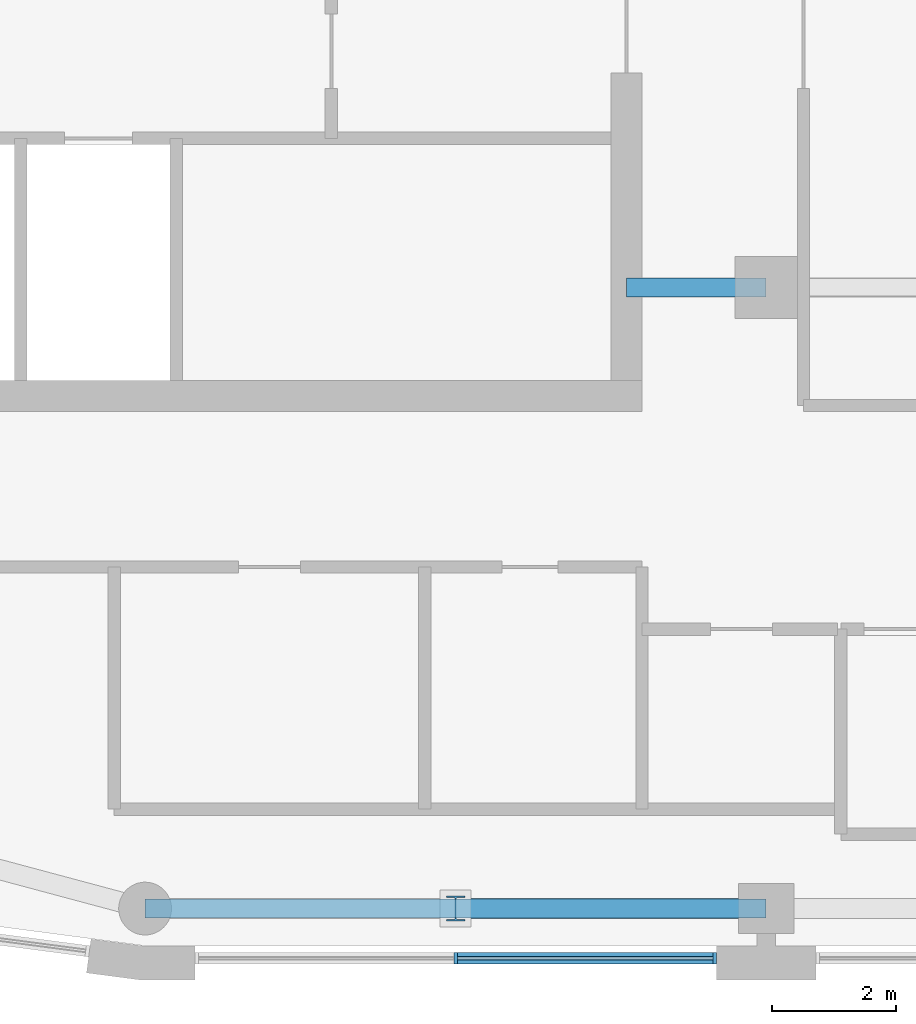
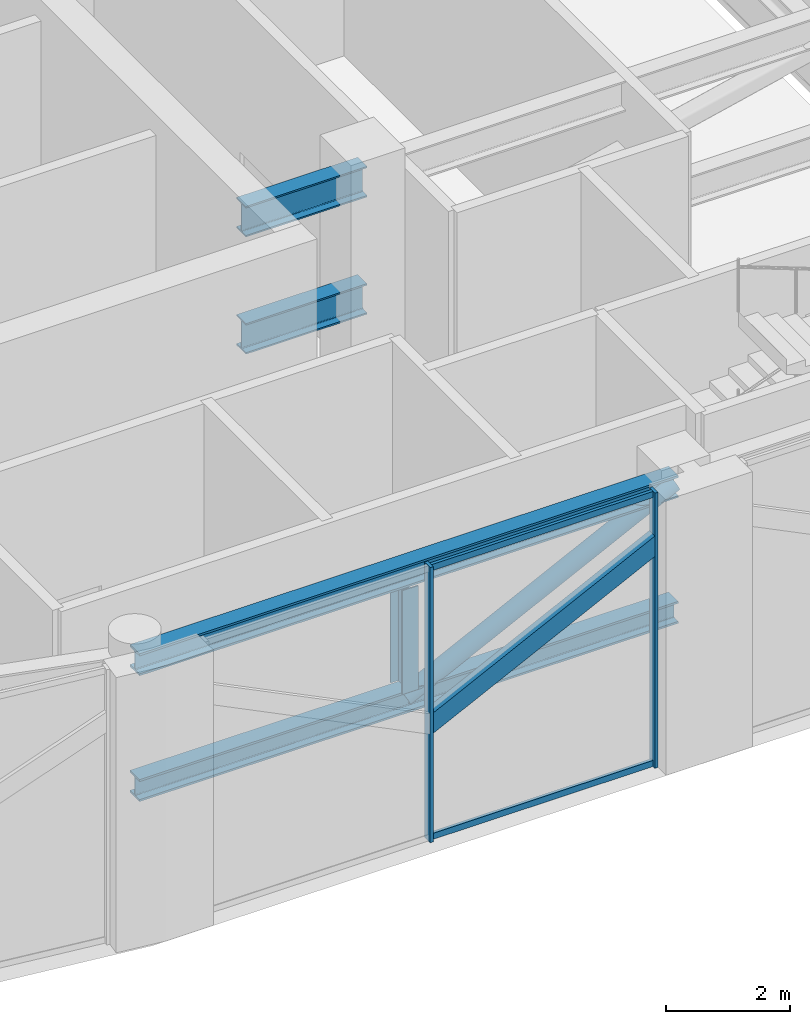
# One storey, part 3 of 18: 11 members, 1 element without a shape of its own.
"""IFC4 building model written with IfcOpenShell, lengths in metres."""

from ifc_helpers import new_model, si_unit, direction, frame, origin, origin_2d, place, context, subcontext, project, spatial, polyline, rectangle, hollow_circle, i_section, outline, extrude, material, layer, layer_set, material_profile, profile_set, type_object, element, aggregate, save


model = new_model("IFC4")

# Units and contexts
model_context = context("Model", 3, precision=1e-05, world=origin(), true_north=direction((0.0, 1.0)))
body_context = subcontext(model_context, "Body", "Model", "MODEL_VIEW")
ifc_project = project(units=[si_unit("LENGTHUNIT", "METRE"), si_unit("AREAUNIT", "SQUARE_METRE"), si_unit("VOLUMEUNIT", "CUBIC_METRE"), si_unit("PLANEANGLEUNIT", "RADIAN"), si_unit("MASSUNIT", "GRAM", prefix="KILO")], contexts=[model_context])

# Site, building, storey
site_placement = place(None, origin())
site = spatial("IfcSite", under=ifc_project, at=site_placement, CompositionType="ELEMENT")
building_placement = place(site_placement, origin())
building = spatial("IfcBuilding", under=site, at=building_placement, Name="Qaws Garden Tower", CompositionType="ELEMENT")
storey_placement = place(building_placement, frame((0.0, 0.0, 352.800048828125)))
storey = spatial("IfcBuildingStorey", under=building, at=storey_placement, Name="L86", CompositionType="ELEMENT", Elevation=352.800048828125)

# Members
ifc_material_1 = material(Name="Steel S355", Category="steel")
ifc_material_profile_1 = material_profile(ifc_material_1, i_section(OverallWidth=0.306884765625, OverallDepth=0.431884765625, WebThickness=0.02099609375, FlangeThickness=0.0400390625, FilletRadius=0.027099609375, at=origin_2d()), Name="HEM 400")
ifc_profile_set_1 = profile_set([ifc_material_profile_1], Name="Steel S355")
member_type_1 = type_object("IfcMemberType", Name="Belt chord HEM 400", PredefinedType="CHORD", material=ifc_profile_set_1)
for number, where, z_axis, x_axis, name in (
    (1, (20.0, 0.0, 4.783935546875), (1.0, 0.0, 0.0), (0.0, 1.0, 0.0), "Belt truss top chord 1"),
    (2, (20.0, 0.0, 2.31591796875), (1.0, 0.0, 0.0), (0.0, 1.0, 0.0), "Belt truss bottom chord 1"),
):
    element("IfcMember", number, at=place(storey_placement, frame(where, z_axis=z_axis, x_axis=x_axis)), inside=storey, type_object=member_type_1, Name=name, PredefinedType="CHORD", context=body_context, shape_type="SweptSolid", body=[
        extrude(i_section(OverallWidth=0.306884765625, OverallDepth=0.431884765625, WebThickness=0.02099609375, FlangeThickness=0.0400390625, FilletRadius=0.027099609375, at=origin_2d()), origin(), (0.0, 0.0, 1.0), 10.0),
    ])
ifc_material_2 = material(Name="Steel S355", Category="steel")
ifc_material_profile_2 = material_profile(ifc_material_2, hollow_circle(Radius=0.161865234375, WallThickness=0.01611328125, at=origin_2d()), Name="CHS 323.9x16")
ifc_profile_set_2 = profile_set([ifc_material_profile_2], Name="Steel S355")
member_type_2 = type_object("IfcMemberType", Name="Belt diagonal CHS 323.9x16", PredefinedType="BRACE", material=ifc_profile_set_2)
member_1_placement = place(storey_placement, frame((25.0, 0.0, 2.31591796875), z_axis=(0.896709736444, 0.0, 0.442619078404), x_axis=(0.0, 1.0, 0.0)))
element("IfcMember", 3, at=member_1_placement, inside=storey, type_object=member_type_2, Name="Belt truss diagonal 1b", PredefinedType="BRACE", context=body_context, shape_type="SweptSolid", body=[
    extrude(hollow_circle(Radius=0.161865234375, WallThickness=0.01611328125, at=origin_2d()), origin(), (0.0, 0.0, 1.0), 5.575927734375),
])
ifc_material_3 = material(Name="Steel S355", Category="steel")
ifc_material_profile_3 = material_profile(ifc_material_3, i_section(OverallWidth=0.300048828125, OverallDepth=0.39990234375, WebThickness=0.013427734375, FlangeThickness=0.02392578125, FilletRadius=0.027099609375, at=origin_2d()), Name="HEB 400")
ifc_profile_set_3 = profile_set([ifc_material_profile_3], Name="Steel S355")
member_type_3 = type_object("IfcMemberType", Name="Belt post HEB 400", PredefinedType="POST", material=ifc_profile_set_3)
member_2_placement = place(storey_placement, frame((25.0, 0.0, 2.531982421875), z_axis=(0.0, 0.0, 1.0), x_axis=(1.0, 0.0, 0.0)))
element("IfcMember", 4, at=member_2_placement, inside=storey, type_object=member_type_3, Name="Belt truss post 1", PredefinedType="POST", context=body_context, shape_type="SweptSolid", body=[
    extrude(i_section(OverallWidth=0.300048828125, OverallDepth=0.39990234375, WebThickness=0.013427734375, FlangeThickness=0.02392578125, FilletRadius=0.027099609375, at=origin_2d()), origin(), (0.0, 0.0, 1.0), 2.035888671875),
])

# Curtain wall, members
ifc_material_4 = material(Name="Anodised aluminium curtain wall frame", Category="aluminium")
ifc_layer = layer(ifc_material_4, 0.159912109375)
ifc_layer_set = layer_set([ifc_layer], Name="Anodised aluminium curtain wall frame")
curtain_wall_type = type_object("IfcCurtainWallType", Name="CW6 plant floor louvre glazing curtain wall", PredefinedType="NOTDEFINED", material=ifc_layer_set)
curtain_wall_placement = place(storey_placement, origin())
curtain_wall = element("IfcCurtainWall", 5, at=curtain_wall_placement, inside=storey, type_object=curtain_wall_type, Name="CW6 Plant floor louvre glazing 00", PredefinedType="NOTDEFINED")
ifc_material_5 = material(Name="Anodised aluminium curtain wall frame", Category="aluminium")
ifc_material_profile_4 = material_profile(ifc_material_5, rectangle(XDim=0.179931640625, YDim=0.360107421875, at=origin_2d()), Name="AL 180x360")
ifc_profile_set_4 = profile_set([ifc_material_profile_4], Name="Anodised aluminium curtain wall frame")
member_type_4 = type_object("IfcMemberType", Name="CW6 inclined transom 360 x 180", PredefinedType="USERDEFINED", material=ifc_profile_set_4)
member_3_placement = place(storey_placement, frame((20.800048828125, -0.800048828125, 0.119873046875), z_axis=(0.0, 0.0, 1.0), x_axis=(1.0, 0.0, 0.0)))
member_3 = element("IfcMember", 6, at=member_3_placement, type_object=member_type_4, Name="CW6 inclined transom 2.1", ObjectType="TRANSOM", PredefinedType="USERDEFINED", context=body_context, shape_type="SweptSolid", body=[
    extrude(outline(polyline([(4.22998046875, 2.01025390625), (8.340087890625, 4.038818359375), (8.340087890625, 4.440185546875), (4.22998046875, 2.41162109375), (4.22998046875, 2.01025390625)])), frame((0.0, 0.08984375, 0.0), z_axis=(0.0, -1.0, 0.0), x_axis=(1.0, 0.0, 0.0)), (0.0, 0.0, 1.0), 0.179931640625),
])
ifc_material_6 = material(Name="Anodised aluminium curtain wall frame", Category="aluminium")
ifc_material_profile_5 = material_profile(ifc_material_6, rectangle(XDim=0.179931640625, YDim=0.06005859375, at=origin_2d()), Name="AL 60x180")
ifc_profile_set_5 = profile_set([ifc_material_profile_5], Name="Anodised aluminium curtain wall frame")
member_type_5 = type_object("IfcMemberType", Name="CW6 mullion 60 x 180", PredefinedType="MULLION", material=ifc_profile_set_5)
member_4_placement = place(storey_placement, frame((25.0, -0.800048828125, 0.0), z_axis=(0.0, 0.0, 1.0), x_axis=(0.0, 1.0, 0.0)))
member_4 = element("IfcMember", 7, at=member_4_placement, type_object=member_type_5, Name="CW6 mullion 2", PredefinedType="MULLION", context=body_context, shape_type="SweptSolid", body=[
    extrude(rectangle(XDim=0.179931640625, YDim=0.06005859375, at=origin_2d()), origin(), (0.0, 0.0, 1.0), 5.39990234375),
])
member_5_placement = place(storey_placement, frame((29.169921875, -0.800048828125, 0.0), z_axis=(0.0, 0.0, 1.0), x_axis=(0.0, 1.0, 0.0)))
member_5 = element("IfcMember", 8, at=member_5_placement, type_object=member_type_5, Name="CW6 mullion 3", PredefinedType="MULLION", context=body_context, shape_type="SweptSolid", body=[
    extrude(rectangle(XDim=0.179931640625, YDim=0.06005859375, at=origin_2d()), origin(), (0.0, 0.0, 1.0), 5.39990234375),
])
ifc_material_7 = material(Name="Anodised aluminium curtain wall frame", Category="aluminium")
ifc_material_profile_6 = material_profile(ifc_material_7, rectangle(XDim=0.06005859375, YDim=0.1201171875, at=origin_2d()), Name="AL 60x120")
ifc_profile_set_6 = profile_set([ifc_material_profile_6], Name="Anodised aluminium curtain wall frame")
member_type_6 = type_object("IfcMemberType", Name="CW6 transom 120 x 60", PredefinedType="USERDEFINED", material=ifc_profile_set_6)
member_6_placement = place(storey_placement, frame((25.030029296875, -0.800048828125, 0.06005859375), z_axis=(1.0, 0.0, 0.0), x_axis=(0.0, 1.0, 0.0)))
member_6 = element("IfcMember", 9, at=member_6_placement, type_object=member_type_6, Name="CW6 transom 2.1", ObjectType="TRANSOM", PredefinedType="USERDEFINED", context=body_context, shape_type="SweptSolid", body=[
    extrude(rectangle(XDim=0.06005859375, YDim=0.1201171875, at=origin_2d()), origin(), (0.0, 0.0, 1.0), 4.10986328125),
])
member_7_placement = place(storey_placement, frame((25.030029296875, -0.800048828125, 5.33984375), z_axis=(1.0, 0.0, 0.0), x_axis=(0.0, 1.0, 0.0)))
member_7 = element("IfcMember", 10, at=member_7_placement, type_object=member_type_6, Name="CW6 transom 2.2", ObjectType="TRANSOM", PredefinedType="USERDEFINED", context=body_context, shape_type="SweptSolid", body=[
    extrude(rectangle(XDim=0.06005859375, YDim=0.1201171875, at=origin_2d()), origin(), (0.0, 0.0, 1.0), 4.10986328125),
])
aggregate(curtain_wall, [member_4, member_5, member_6, member_7, member_3])

# Members
ifc_material_8 = material(Name="Steel S355", Category="steel")
ifc_material_profile_7 = material_profile(ifc_material_8, i_section(OverallWidth=0.300048828125, OverallDepth=0.60009765625, WebThickness=0.015380859375, FlangeThickness=0.030029296875, FilletRadius=0.027099609375, at=origin_2d()), Name="HEB 600")
ifc_profile_set_7 = profile_set([ifc_material_profile_7], Name="Steel S355")
member_type_7 = type_object("IfcMemberType", Name="Outrigger chord HEB 600", PredefinedType="CHORD", material=ifc_profile_set_7)
for number, where, z_axis, x_axis, name in (
    (11, (27.75, 10.0, 4.699951171875), (1.0, 0.0, 0.0), (0.0, 1.0, 0.0), "Outrigger 1 top chord 1"),
    (12, (27.75, 10.0, 2.39990234375), (1.0, 0.0, 0.0), (0.0, 1.0, 0.0), "Outrigger 1 bottom chord 1"),
):
    element("IfcMember", number, at=place(storey_placement, frame(where, z_axis=z_axis, x_axis=x_axis)), inside=storey, type_object=member_type_7, Name=name, PredefinedType="CHORD", context=body_context, shape_type="SweptSolid", body=[
        extrude(i_section(OverallWidth=0.300048828125, OverallDepth=0.60009765625, WebThickness=0.015380859375, FlangeThickness=0.030029296875, FilletRadius=0.027099609375, at=origin_2d()), origin(), (0.0, 0.0, 1.0), 2.25),
    ])

save(model, "model.ifc")
